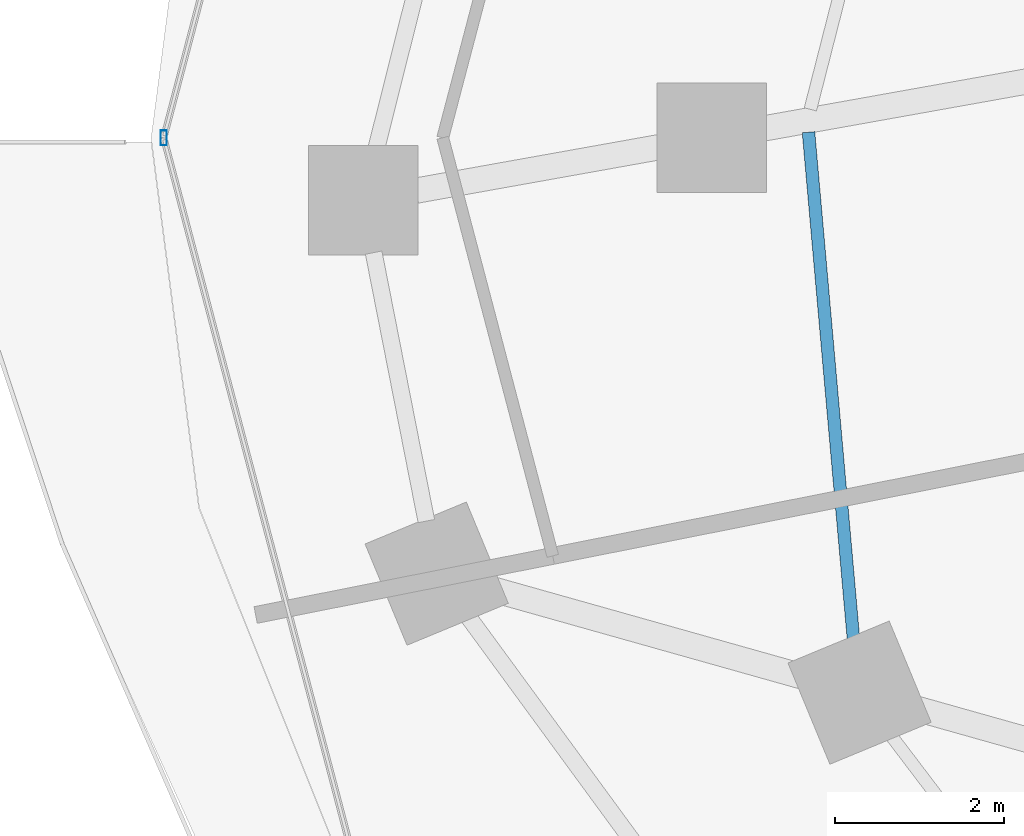
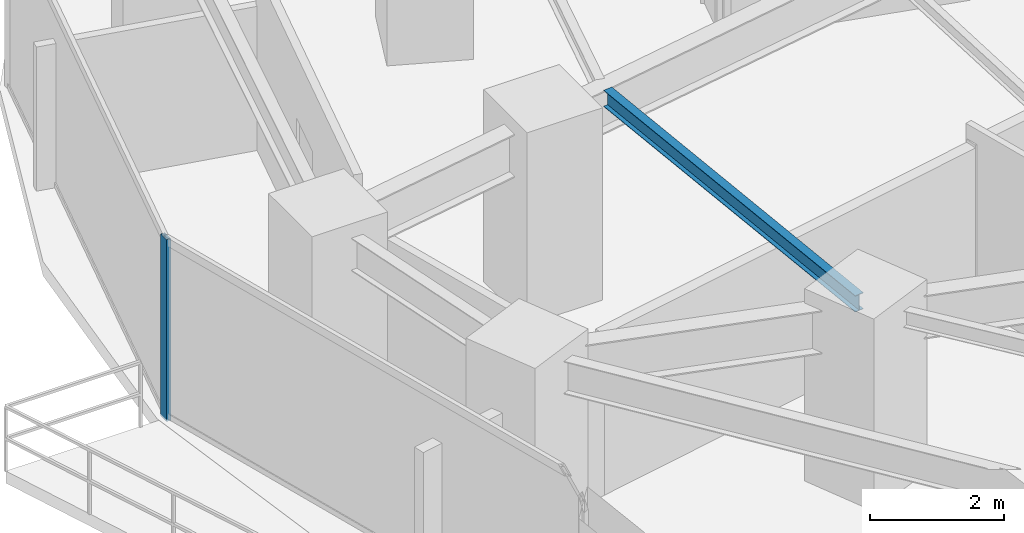
# One storey, part 7 of 33: 1 beam, 1 member, 1 element without a shape of its own.
"""IFC4 building model written with IfcOpenShell, lengths in metres."""

from ifc_helpers import new_model, si_unit, direction, frame, origin, origin_2d, place, context, subcontext, project, spatial, hollow_rectangle, i_section, extrude, material, material_profile, profile_set, type_object, element, aggregate, save


model = new_model("IFC4")

# Units and contexts
model_context = context("Model", 3, precision=1e-05, world=origin(), true_north=direction((0.0, 1.0)))
body_context = subcontext(model_context, "Body", "Model", "MODEL_VIEW")
ifc_project = project(units=[si_unit("LENGTHUNIT", "METRE"), si_unit("AREAUNIT", "SQUARE_METRE"), si_unit("VOLUMEUNIT", "CUBIC_METRE"), si_unit("PLANEANGLEUNIT", "RADIAN"), si_unit("MASSUNIT", "GRAM", prefix="KILO")], contexts=[model_context])

# Site, building, storey
site_placement = place(None, origin())
site = spatial("IfcSite", under=ifc_project, at=site_placement, CompositionType="ELEMENT")
building_placement = place(site_placement, origin())
building = spatial("IfcBuilding", under=site, at=building_placement, Name="Vorneva Point Tower", CompositionType="ELEMENT")
storey_placement = place(building_placement, frame((0.0, 0.0, 34.5)))
storey = spatial("IfcBuildingStorey", under=building, at=storey_placement, Name="L08", CompositionType="ELEMENT", Elevation=34.5)

# Beam
ifc_material_1 = material(Name="Steel S355", Category="steel")
ifc_material_profile_1 = material_profile(ifc_material_1, i_section(OverallWidth=0.14892578125, OverallDepth=0.298095703125, WebThickness=0.005615234375, FlangeThickness=0.008056640625, at=origin_2d()), Name="30B1")
ifc_profile_set_1 = profile_set([ifc_material_profile_1], Name="Steel S355")
beam_type = type_object("IfcBeamType", Name="BM-JST-30B1", PredefinedType="JOIST", material=ifc_profile_set_1)
beam_placement = place(storey_placement, frame((16.098876953125, 26.06591796875, 3.091064453125), z_axis=(0.088398866628, -0.996085157192, 0.0), x_axis=(0.996085157192, 0.088398866628, 0.0)))
element("IfcBeam", 1, at=beam_placement, inside=storey, type_object=beam_type, Name="L08 Secondary Floor Beam 1.09", PredefinedType="JOIST", context=body_context, shape_type="SweptSolid", body=[
    extrude(i_section(OverallWidth=0.14892578125, OverallDepth=0.298095703125, WebThickness=0.005615234375, FlangeThickness=0.008056640625, at=origin_2d()), origin(), (0.0, 0.0, 1.0), 6.53173828125),
])

# Curtain wall, member
ifc_material_2 = material(Name="Pale anodised aluminium", Category="aluminium")
curtain_wall_type = type_object("IfcCurtainWallType", Name="CW-HTL-SYS", PredefinedType="NOTDEFINED", material=ifc_material_2)
curtain_wall_placement = place(storey_placement, origin())
curtain_wall = element("IfcCurtainWall", 2, at=curtain_wall_placement, inside=storey, type_object=curtain_wall_type, Name="L08 Unitised Curtain Wall CW-L08-R03", PredefinedType="NOTDEFINED")
ifc_material_profile_2 = material_profile(ifc_material_2, hollow_rectangle(XDim=0.074951171875, YDim=0.179931640625, WallThickness=0.00390625, at=origin_2d()), Name="AL-MUL 180x75x4")
ifc_profile_set_2 = profile_set([ifc_material_profile_2], Name="Pale anodised aluminium")
member_type = type_object("IfcMemberType", Name="CW-MUL-180", PredefinedType="MULLION", material=ifc_profile_set_2)
member_placement = place(storey_placement, frame((8.449951171875, 26.0, -0.0400390625), z_axis=(0.0, 0.0, 1.0), x_axis=(1.0, 0.0, 0.0)))
member = element("IfcMember", 3, at=member_placement, type_object=member_type, Name="CW-L08-R03 Mullion 03", PredefinedType="MULLION", context=body_context, shape_type="SweptSolid", body=[
    extrude(hollow_rectangle(XDim=0.074951171875, YDim=0.179931640625, WallThickness=0.00390625, at=origin_2d()), origin(), (0.0, 0.0, 1.0), 3.31005859375),
])
aggregate(curtain_wall, [member])

save(model, "model.ifc")
